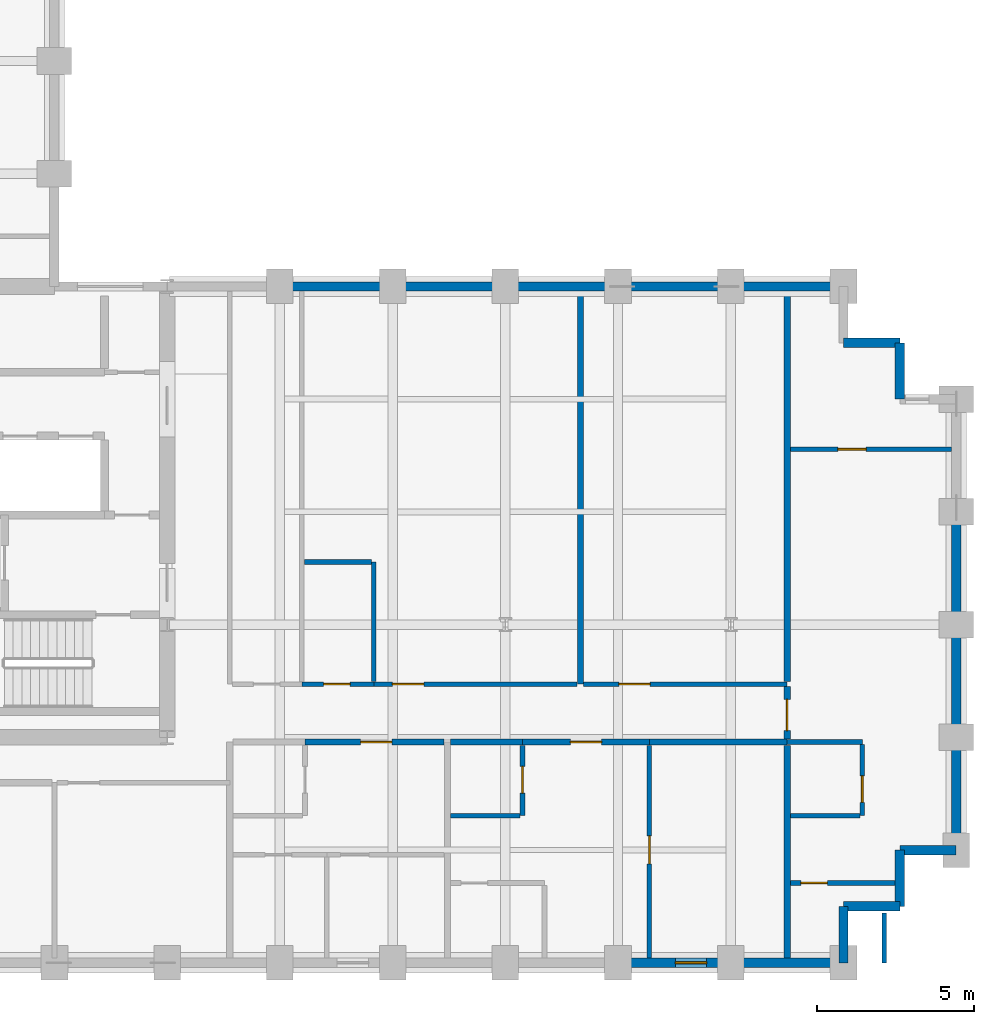
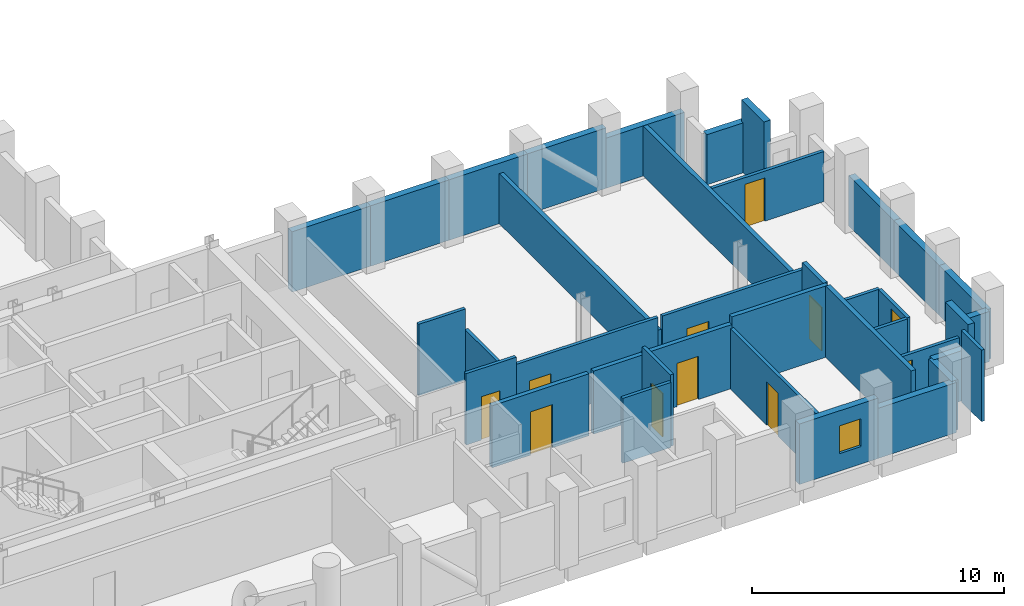
# One storey, part 10 of 13: 38 walls, 11 doors, 1 window, 12 openings.
"""IFC4 building model written with IfcOpenShell, lengths in metres."""

from ifc_helpers import new_model, si_unit, direction, frame, frame_2d, origin, place, context, subcontext, project, spatial, rectangle, extrude, material, layer, layer_set, type_object, element, fill, save


model = new_model("IFC4")

# Units and contexts
model_context = context("Model", 3, precision=1e-05, world=origin(), true_north=direction((0.0, 1.0)))
body_context = subcontext(model_context, "Body", "Model", "MODEL_VIEW")
ifc_project = project(units=[si_unit("LENGTHUNIT", "METRE"), si_unit("AREAUNIT", "SQUARE_METRE"), si_unit("VOLUMEUNIT", "CUBIC_METRE"), si_unit("PLANEANGLEUNIT", "RADIAN"), si_unit("MASSUNIT", "GRAM", prefix="KILO")], contexts=[model_context])

# Site, building, storey
site_placement = place(None, origin())
site = spatial("IfcSite", under=ifc_project, at=site_placement, CompositionType="ELEMENT")
building_placement = place(site_placement, origin())
building = spatial("IfcBuilding", under=site, at=building_placement, Name="Solnavia Interchange Tower", CompositionType="ELEMENT")
storey_placement = place(building_placement, frame((0.0, 0.0, 123.800048828125)))
storey = spatial("IfcBuildingStorey", under=building, at=storey_placement, Name="L30", CompositionType="ELEMENT", Elevation=123.800048828125)

# Wall, opening, door
ifc_material_1 = material(Name="Gypsum Acoustic Twin-Stud & Mineral Wool", Category="gypsum")
ifc_layer_1 = layer(ifc_material_1, 0.199951171875)
ifc_layer_set_1 = layer_set([ifc_layer_1], Name="Gypsum Acoustic Twin-Stud & Mineral Wool")
wall_type_1 = type_object("IfcWallType", Name="Wall-ApartmentParty-200", PredefinedType="PARTITIONING", material=ifc_layer_set_1)
wall_1_placement = place(storey_placement, frame((36.800048828125, 10.64990234375, 0.0), z_axis=(0.0, 0.0, 1.0), x_axis=(1.0, 0.0, 0.0)))
wall_1 = element("IfcWall", 1, at=wall_1_placement, inside=storey, type_object=wall_type_1, Name="PTW-L30-18 Interior partition wall", PredefinedType="PARTITIONING", context=body_context, shape_type="SweptSolid", body=[
    extrude(rectangle(XDim=4.446044921875, YDim=0.199951171875, at=frame_2d((2.22314453125, 0.0))), origin(), (0.0, 0.0, 1.0), 3.010009765625),
])
opening_1_placement = place(wall_1_placement, frame((1.77490234375, 0.0, 0.0)))
opening_1 = element("IfcOpeningElement", 2, at=opening_1_placement, cuts=wall_1, Name="Opening DR-06", PredefinedType="OPENING", context=body_context, shape_type="SweptSolid", body=[
    extrude(rectangle(XDim=1.0, YDim=2.10009765625, at=frame_2d((0.5, 1.050048828125))), frame((0.0, 0.10986328125, 0.0), z_axis=(0.0, -1.0, 0.0), x_axis=(1.0, 0.0, 0.0)), (0.0, 0.0, 1.0), 0.219970703125),
])
ifc_material_2 = material(Name="Engineered Timber Acoustic Fire Door", Category="wood")
door_type_1 = type_object("IfcDoorType", Name="Door-FlatEntry-1000x2100", OperationType="SINGLE_SWING_LEFT", PredefinedType="DOOR", material=ifc_material_2)
door_1_placement = place(opening_1_placement, origin())
door_1 = element("IfcDoor", 3, at=door_1_placement, inside=storey, type_object=door_type_1, Name="DR-L30-07 Interior room door", OperationType="SINGLE_SWING_LEFT", OverallHeight=2.10009765625, OverallWidth=1.0, PredefinedType="DOOR", context=body_context, shape_type="SweptSolid", body=[
    extrude(rectangle(XDim=1.0, YDim=2.10009765625, at=frame_2d((0.5, 1.050048828125))), frame((0.0, 0.02490234375, 0.0), z_axis=(0.0, -1.0, 0.0), x_axis=(1.0, 0.0, 0.0)), (0.0, 0.0, 1.0), 0.050048828125),
])
fill(opening_1, door_1)

# Wall
wall_2_placement = place(storey_placement, frame((41.4541015625, 10.64990234375, 0.0), z_axis=(0.0, 0.0, 1.0), x_axis=(1.0, 0.0, 0.0)))
element("IfcWall", 4, at=wall_2_placement, inside=storey, type_object=wall_type_1, Name="PTW-L30-22 Interior partition wall", PredefinedType="PARTITIONING", context=body_context, shape_type="SweptSolid", body=[
    extrude(rectangle(XDim=2.2958984375, YDim=0.199951171875, at=frame_2d((1.14794921875, 0.0))), origin(), (0.0, 0.0, 1.0), 3.06005859375),
])

# Wall, opening, door
wall_3_placement = place(storey_placement, frame((43.75, 10.64990234375, 0.0), z_axis=(0.0, 0.0, 1.0), x_axis=(1.0, 0.0, 0.0)))
wall_3 = element("IfcWall", 5, at=wall_3_placement, inside=storey, type_object=wall_type_1, Name="PTW-L30-25 Interior partition wall", PredefinedType="PARTITIONING", context=body_context, shape_type="SweptSolid", body=[
    extrude(rectangle(XDim=4.050048828125, YDim=0.199951171875, at=frame_2d((2.02490234375, 0.0))), origin(), (0.0, 0.0, 1.0), 3.099853515625),
])
opening_2_placement = place(wall_3_placement, frame((1.52490234375, 0.0, 0.0)))
opening_2 = element("IfcOpeningElement", 6, at=opening_2_placement, cuts=wall_3, Name="Opening DR-06", PredefinedType="OPENING", context=body_context, shape_type="SweptSolid", body=[
    extrude(rectangle(XDim=1.0, YDim=2.10009765625, at=frame_2d((0.5, 1.050048828125))), frame((0.0, 0.10986328125, 0.0), z_axis=(0.0, -1.0, 0.0), x_axis=(1.0, 0.0, 0.0)), (0.0, 0.0, 1.0), 0.219970703125),
])
door_2_placement = place(opening_2_placement, origin())
door_2 = element("IfcDoor", 7, at=door_2_placement, inside=storey, type_object=door_type_1, Name="DR-L30-11 Interior room door", OperationType="SINGLE_SWING_LEFT", OverallHeight=2.10009765625, OverallWidth=1.0, PredefinedType="DOOR", context=body_context, shape_type="SweptSolid", body=[
    extrude(rectangle(XDim=1.0, YDim=2.10009765625, at=frame_2d((0.5, 1.050048828125))), frame((0.0, 0.02490234375, 0.0), z_axis=(0.0, -1.0, 0.0), x_axis=(1.0, 0.0, 0.0)), (0.0, 0.0, 1.0), 0.050048828125),
])
fill(opening_2, door_2)

# Walls
wall_4_placement = place(storey_placement, frame((47.800048828125, 10.64990234375, 0.0), z_axis=(0.0, 0.0, 1.0), x_axis=(1.0, 0.0, 0.0)))
element("IfcWall", 8, at=wall_4_placement, inside=storey, type_object=wall_type_1, Name="PTW-L30-26 Interior partition wall", PredefinedType="PARTITIONING", context=body_context, shape_type="SweptSolid", body=[
    extrude(rectangle(XDim=4.39990234375, YDim=0.199951171875, at=frame_2d((2.199951171875, 0.0))), origin(), (0.0, 0.0, 1.0), 3.46484375),
])
wall_5_placement = place(storey_placement, frame((45.60009765625, 12.5, 0.0), z_axis=(0.0, 0.0, 1.0), x_axis=(0.0, 1.0, 0.0)))
element("IfcWall", 9, at=wall_5_placement, inside=storey, type_object=wall_type_1, Name="PTW-L30-30 Interior partition wall", PredefinedType="PARTITIONING", context=body_context, shape_type="SweptSolid", body=[
    extrude(rectangle(XDim=12.5458984375, YDim=0.199951171875, at=frame_2d((6.27294921875, 0.0))), origin(), (0.0, 0.0, 1.0), 2.429931640625),
])
wall_6_placement = place(storey_placement, frame((52.199951171875, 3.75390625, 0.0), z_axis=(0.0, 0.0, 1.0), x_axis=(0.0, 1.0, 0.0)))
element("IfcWall", 10, at=wall_6_placement, inside=storey, type_object=wall_type_1, Name="PTW-L30-33 Interior partition wall", PredefinedType="PARTITIONING", context=body_context, shape_type="SweptSolid", body=[
    extrude(rectangle(XDim=6.7919921875, YDim=0.199951171875, at=frame_2d((3.39599609375, 0.0))), origin(), (0.0, 0.0, 1.0), 3.46484375),
])
wall_7_placement = place(storey_placement, frame((52.199951171875, 12.5791015625, 0.0), z_axis=(0.0, 0.0, 1.0), x_axis=(0.0, 1.0, 0.0)))
element("IfcWall", 11, at=wall_7_placement, inside=storey, type_object=wall_type_1, Name="PTW-L30-34 Interior partition wall", PredefinedType="PARTITIONING", context=body_context, shape_type="SweptSolid", body=[
    extrude(rectangle(XDim=12.466796875, YDim=0.199951171875, at=frame_2d((6.2333984375, 0.0))), origin(), (0.0, 0.0, 1.0), 2.429931640625),
])

# Wall, opening, door
wall_8_placement = place(storey_placement, frame((52.199951171875, 10.75390625, 0.0), z_axis=(0.0, 0.0, 1.0), x_axis=(0.0, 1.0, 0.0)))
wall_8 = element("IfcWall", 12, at=wall_8_placement, inside=storey, type_object=wall_type_1, Name="PTW-L30-35 Interior partition wall", PredefinedType="PARTITIONING", context=body_context, shape_type="SweptSolid", body=[
    extrude(rectangle(XDim=1.6669921875, YDim=0.199951171875, at=frame_2d((0.83349609375, 0.0))), origin(), (0.0, 0.0, 1.0), 3.46484375),
])
opening_3_placement = place(wall_8_placement, frame((0.261962890625, 0.0, 0.0)))
opening_3 = element("IfcOpeningElement", 13, at=opening_3_placement, cuts=wall_8, Name="Opening DR-06", PredefinedType="OPENING", context=body_context, shape_type="SweptSolid", body=[
    extrude(rectangle(XDim=1.0, YDim=2.10009765625, at=frame_2d((0.5, 1.050048828125))), frame((0.0, 0.10986328125, 0.0), z_axis=(0.0, -1.0, 0.0), x_axis=(1.0, 0.0, 0.0)), (0.0, 0.0, 1.0), 0.219970703125),
])
door_3_placement = place(opening_3_placement, origin())
door_3 = element("IfcDoor", 14, at=door_3_placement, inside=storey, type_object=door_type_1, Name="DR-L30-16 Interior room door", OperationType="SINGLE_SWING_RIGHT", OverallHeight=2.10009765625, OverallWidth=1.0, PredefinedType="DOOR", context=body_context, shape_type="SweptSolid", body=[
    extrude(rectangle(XDim=1.0, YDim=2.10009765625, at=frame_2d((0.5, 1.050048828125))), frame((0.0, 0.02490234375, 0.0), z_axis=(0.0, -1.0, 0.0), x_axis=(1.0, 0.0, 0.0)), (0.0, 0.0, 1.0), 0.050048828125),
])
fill(opening_3, door_3)

# Wall, opening, window
ifc_material_3 = material(Name="Concrete C40/50", Category="concrete")
ifc_layer_2 = layer(ifc_material_3, 0.300048828125)
ifc_layer_set_2 = layer_set([ifc_layer_2], Name="Concrete C40/50")
wall_type_2 = type_object("IfcWallType", Name="Wall-ExtSpandrel-300", PredefinedType="STANDARD", material=ifc_layer_set_2)
wall_9_placement = place(storey_placement, frame((50.39990234375, 3.60009765625, 0.0), z_axis=(0.0, 0.0, 1.0), x_axis=(-1.0, 0.0, 0.0)))
wall_9 = element("IfcWall", 15, at=wall_9_placement, inside=storey, type_object=wall_type_2, Name="EXW-L30-07 Exterior precast spandrel wall", PredefinedType="STANDARD", context=body_context, shape_type="SweptSolid", body=[
    extrude(rectangle(XDim=3.599853515625, YDim=0.300048828125, at=frame_2d((1.7998046875, 0.0))), origin(), (0.0, 0.0, 1.0), 2.929931640625),
])
opening_4_placement = place(wall_9_placement, frame((0.76904296875, 0.0, 0.85009765625)))
opening_4 = element("IfcOpeningElement", 16, at=opening_4_placement, cuts=wall_9, Name="Opening WIN-07", PredefinedType="OPENING", context=body_context, shape_type="SweptSolid", body=[
    extrude(rectangle(XDim=1.0, YDim=1.35009765625, at=frame_2d((0.5, 0.675048828125))), frame((0.0, 0.16015625, 0.0), z_axis=(0.0, -1.0, 0.0), x_axis=(1.0, 0.0, 0.0)), (0.0, 0.0, 1.0), 0.320068359375),
])
ifc_material_4 = material(Name="Thermal-Break Aluminium & Low-E Glass", Category="aluminium")
window_type = type_object("IfcWindowType", Name="Window-Bedroom-1000x1350", PartitioningType="SINGLE_PANEL", PredefinedType="WINDOW", material=ifc_material_4)
window_placement = place(opening_4_placement, origin())
window = element("IfcWindow", 17, at=window_placement, inside=storey, type_object=window_type, Name="WIN-L30-DW02 Dwelling bedroom window", OverallHeight=1.35009765625, OverallWidth=1.0, PartitioningType="SINGLE_PANEL", PredefinedType="WINDOW", context=body_context, shape_type="SweptSolid", body=[
    extrude(rectangle(XDim=1.0, YDim=1.35009765625, at=frame_2d((0.5, 0.675048828125))), frame((0.0, 0.030029296875, 0.0), z_axis=(0.0, -1.0, 0.0), x_axis=(1.0, 0.0, 0.0)), (0.0, 0.0, 1.0), 0.06005859375),
])
fill(opening_4, window)

# Walls
wall_10_placement = place(storey_placement, frame((54.0, 3.60009765625, 0.0), z_axis=(0.0, 0.0, 1.0), x_axis=(-1.0, 0.0, 0.0)))
element("IfcWall", 18, at=wall_10_placement, inside=storey, type_object=wall_type_2, Name="EXW-L30-08 Exterior precast spandrel wall", PredefinedType="STANDARD", context=body_context, shape_type="SweptSolid", body=[
    extrude(rectangle(XDim=3.60009765625, YDim=0.300048828125, at=frame_2d((1.800048828125, 0.0))), origin(), (0.0, 0.0, 1.0), 2.429931640625),
])
wall_11_placement = place(storey_placement, frame((54.0, 5.39990234375, 0.0), z_axis=(0.0, 0.0, 1.0), x_axis=(0.0, -1.0, 0.0)))
element("IfcWall", 19, at=wall_11_placement, inside=storey, type_object=wall_type_2, Name="EXW-L30-09 Exterior precast spandrel wall", PredefinedType="STANDARD", context=body_context, shape_type="SweptSolid", body=[
    extrude(rectangle(XDim=1.7998046875, YDim=0.300048828125, at=frame_2d((0.89990234375, 0.0))), origin(), (0.0, 0.0, 1.0), 2.429931640625),
])
wall_12_placement = place(storey_placement, frame((55.800048828125, 5.39990234375, 0.0), z_axis=(0.0, 0.0, 1.0), x_axis=(-1.0, 0.0, 0.0)))
element("IfcWall", 20, at=wall_12_placement, inside=storey, type_object=wall_type_2, Name="EXW-L30-10 Exterior precast spandrel wall", PredefinedType="STANDARD", context=body_context, shape_type="SweptSolid", body=[
    extrude(rectangle(XDim=1.800048828125, YDim=0.300048828125, at=frame_2d((0.89990234375, 0.0))), origin(), (0.0, 0.0, 1.0), 2.429931640625),
])
wall_13_placement = place(storey_placement, frame((55.800048828125, 7.199951171875, 0.0), z_axis=(0.0, 0.0, 1.0), x_axis=(0.0, -1.0, 0.0)))
element("IfcWall", 21, at=wall_13_placement, inside=storey, type_object=wall_type_2, Name="EXW-L30-11 Exterior precast spandrel wall", PredefinedType="STANDARD", context=body_context, shape_type="SweptSolid", body=[
    extrude(rectangle(XDim=1.800048828125, YDim=0.300048828125, at=frame_2d((0.89990234375, 0.0))), origin(), (0.0, 0.0, 1.0), 3.46484375),
])
wall_14_placement = place(storey_placement, frame((57.60009765625, 7.199951171875, 0.0), z_axis=(0.0, 0.0, 1.0), x_axis=(-1.0, 0.0, 0.0)))
element("IfcWall", 22, at=wall_14_placement, inside=storey, type_object=wall_type_2, Name="EXW-L30-12 Exterior precast spandrel wall", PredefinedType="STANDARD", context=body_context, shape_type="SweptSolid", body=[
    extrude(rectangle(XDim=1.800048828125, YDim=0.300048828125, at=frame_2d((0.89990234375, 0.0))), origin(), (0.0, 0.0, 1.0), 2.429931640625),
])
wall_15_placement = place(storey_placement, frame((57.60009765625, 10.800048828125, 0.0), z_axis=(0.0, 0.0, 1.0), x_axis=(0.0, -1.0, 0.0)))
element("IfcWall", 23, at=wall_15_placement, inside=storey, type_object=wall_type_2, Name="EXW-L30-13 Exterior precast spandrel wall", PredefinedType="STANDARD", context=body_context, shape_type="SweptSolid", body=[
    extrude(rectangle(XDim=3.60009765625, YDim=0.300048828125, at=frame_2d((1.800048828125, 0.0))), origin(), (0.0, 0.0, 1.0), 2.429931640625),
])
wall_16_placement = place(storey_placement, frame((57.60009765625, 14.39990234375, 0.0), z_axis=(0.0, 0.0, 1.0), x_axis=(0.0, -1.0, 0.0)))
element("IfcWall", 24, at=wall_16_placement, inside=storey, type_object=wall_type_2, Name="EXW-L30-14 Exterior precast spandrel wall", PredefinedType="STANDARD", context=body_context, shape_type="SweptSolid", body=[
    extrude(rectangle(XDim=3.599853515625, YDim=0.300048828125, at=frame_2d((1.7998046875, 0.0))), origin(), (0.0, 0.0, 1.0), 2.429931640625),
])
wall_17_placement = place(storey_placement, frame((57.60009765625, 18.0, 0.0), z_axis=(0.0, 0.0, 1.0), x_axis=(0.0, -1.0, 0.0)))
element("IfcWall", 25, at=wall_17_placement, inside=storey, type_object=wall_type_2, Name="EXW-L30-15 Exterior precast spandrel wall", PredefinedType="STANDARD", context=body_context, shape_type="SweptSolid", body=[
    extrude(rectangle(XDim=3.60009765625, YDim=0.300048828125, at=frame_2d((1.800048828125, 0.0))), origin(), (0.0, 0.0, 1.0), 2.429931640625),
])
wall_18_placement = place(storey_placement, frame((55.800048828125, 23.39990234375, 0.0), z_axis=(0.0, 0.0, 1.0), x_axis=(0.0, -1.0, 0.0)))
element("IfcWall", 26, at=wall_18_placement, inside=storey, type_object=wall_type_2, Name="EXW-L30-18 Exterior precast spandrel wall", PredefinedType="STANDARD", context=body_context, shape_type="SweptSolid", body=[
    extrude(rectangle(XDim=1.7998046875, YDim=0.300048828125, at=frame_2d((0.89990234375, 0.0))), origin(), (0.0, 0.0, 1.0), 3.46484375),
])
wall_19_placement = place(storey_placement, frame((54.0, 23.39990234375, 0.0), z_axis=(0.0, 0.0, 1.0), x_axis=(1.0, 0.0, 0.0)))
element("IfcWall", 27, at=wall_19_placement, inside=storey, type_object=wall_type_2, Name="EXW-L30-19 Exterior precast spandrel wall", PredefinedType="STANDARD", context=body_context, shape_type="SweptSolid", body=[
    extrude(rectangle(XDim=1.800048828125, YDim=0.300048828125, at=frame_2d((0.89990234375, 0.0))), origin(), (0.0, 0.0, 1.0), 2.429931640625),
])
wall_20_placement = place(storey_placement, frame((50.39990234375, 25.199951171875, 0.0), z_axis=(0.0, 0.0, 1.0), x_axis=(1.0, 0.0, 0.0)))
element("IfcWall", 28, at=wall_20_placement, inside=storey, type_object=wall_type_2, Name="EXW-L30-21 Exterior precast spandrel wall", PredefinedType="STANDARD", context=body_context, shape_type="SweptSolid", body=[
    extrude(rectangle(XDim=3.60009765625, YDim=0.300048828125, at=frame_2d((1.800048828125, 0.0))), origin(), (0.0, 0.0, 1.0), 2.429931640625),
])
wall_21_placement = place(storey_placement, frame((46.800048828125, 25.199951171875, 0.0), z_axis=(0.0, 0.0, 1.0), x_axis=(1.0, 0.0, 0.0)))
element("IfcWall", 29, at=wall_21_placement, inside=storey, type_object=wall_type_2, Name="EXW-L30-22 Exterior precast spandrel wall", PredefinedType="STANDARD", context=body_context, shape_type="SweptSolid", body=[
    extrude(rectangle(XDim=3.599853515625, YDim=0.300048828125, at=frame_2d((1.7998046875, 0.0))), origin(), (0.0, 0.0, 1.0), 2.929931640625),
])
wall_22_placement = place(storey_placement, frame((43.199951171875, 25.199951171875, 0.0), z_axis=(0.0, 0.0, 1.0), x_axis=(1.0, 0.0, 0.0)))
element("IfcWall", 30, at=wall_22_placement, inside=storey, type_object=wall_type_2, Name="EXW-L30-23 Exterior precast spandrel wall", PredefinedType="STANDARD", context=body_context, shape_type="SweptSolid", body=[
    extrude(rectangle(XDim=3.60009765625, YDim=0.300048828125, at=frame_2d((1.800048828125, 0.0))), origin(), (0.0, 0.0, 1.0), 2.929931640625),
])
wall_23_placement = place(storey_placement, frame((39.60009765625, 25.199951171875, 0.0), z_axis=(0.0, 0.0, 1.0), x_axis=(1.0, 0.0, 0.0)))
element("IfcWall", 31, at=wall_23_placement, inside=storey, type_object=wall_type_2, Name="EXW-L30-24 Exterior precast spandrel wall", PredefinedType="STANDARD", context=body_context, shape_type="SweptSolid", body=[
    extrude(rectangle(XDim=3.599853515625, YDim=0.300048828125, at=frame_2d((1.7998046875, 0.0))), origin(), (0.0, 0.0, 1.0), 2.929931640625),
])
wall_24_placement = place(storey_placement, frame((36.0, 25.199951171875, 0.0), z_axis=(0.0, 0.0, 1.0), x_axis=(1.0, 0.0, 0.0)))
element("IfcWall", 32, at=wall_24_placement, inside=storey, type_object=wall_type_2, Name="EXW-L30-25 Exterior precast spandrel wall", PredefinedType="STANDARD", context=body_context, shape_type="SweptSolid", body=[
    extrude(rectangle(XDim=3.60009765625, YDim=0.300048828125, at=frame_2d((1.800048828125, 0.0))), origin(), (0.0, 0.0, 1.0), 2.929931640625),
])

# Wall, opening, door
ifc_material_5 = material(Name="Gypsum Plasterboard & Steel Stud", Category="steel")
ifc_layer_3 = layer(ifc_material_5, 0.14990234375)
ifc_layer_set_3 = layer_set([ifc_layer_3], Name="Gypsum Plasterboard & Steel Stud")
wall_type_3 = type_object("IfcWallType", Name="Wall-Partition-150", PredefinedType="PARTITIONING", material=ifc_layer_set_3)
wall_25_placement = place(storey_placement, frame((47.800048828125, 3.75390625, 0.0), z_axis=(0.0, 0.0, 1.0), x_axis=(0.0, 1.0, 0.0)))
wall_25 = element("IfcWall", 33, at=wall_25_placement, inside=storey, type_object=wall_type_3, Name="PTW-L30-27 Interior partition wall", PredefinedType="PARTITIONING", context=body_context, shape_type="SweptSolid", body=[
    extrude(rectangle(XDim=6.7919921875, YDim=0.14990234375, at=frame_2d((3.39599609375, 0.0))), origin(), (0.0, 0.0, 1.0), 2.929931640625),
])
opening_5_placement = place(wall_25_placement, frame((3.0009765625, 0.0, 0.0)))
opening_5 = element("IfcOpeningElement", 34, at=opening_5_placement, cuts=wall_25, Name="Opening DR-09", PredefinedType="OPENING", context=body_context, shape_type="SweptSolid", body=[
    extrude(rectangle(XDim=0.89990234375, YDim=2.10009765625, at=frame_2d((0.449951171875, 1.050048828125))), frame((0.0, 0.0849609375, 0.0), z_axis=(0.0, -1.0, 0.0), x_axis=(1.0, 0.0, 0.0)), (0.0, 0.0, 1.0), 0.169921875),
])
ifc_material_6 = material(Name="Engineered Oak Veneer Door", Category="wood")
door_type_2 = type_object("IfcDoorType", Name="Door-Internal-900x2100", OperationType="SINGLE_SWING_LEFT", PredefinedType="DOOR", material=ifc_material_6)
door_4_placement = place(opening_5_placement, origin())
door_4 = element("IfcDoor", 35, at=door_4_placement, inside=storey, type_object=door_type_2, Name="DR-L30-12 Interior room door", OperationType="SINGLE_SWING_RIGHT", OverallHeight=2.10009765625, OverallWidth=0.89990234375, PredefinedType="DOOR", context=body_context, shape_type="SweptSolid", body=[
    extrude(rectangle(XDim=0.89990234375, YDim=2.10009765625, at=frame_2d((0.449951171875, 1.050048828125))), frame((0.0, 0.02490234375, 0.0), z_axis=(0.0, -1.0, 0.0), x_axis=(1.0, 0.0, 0.0)), (0.0, 0.0, 1.0), 0.050048828125),
])
fill(opening_5, door_4)

wall_26_placement = place(storey_placement, frame((39.0, 12.5, 0.0), z_axis=(0.0, 0.0, 1.0), x_axis=(1.0, 0.0, 0.0)))
wall_26 = element("IfcWall", 36, at=wall_26_placement, inside=storey, type_object=wall_type_3, Name="PTW-L30-31 Interior partition wall", PredefinedType="PARTITIONING", context=body_context, shape_type="SweptSolid", body=[
    extrude(rectangle(XDim=6.49609375, YDim=0.14990234375, at=frame_2d((3.248046875, 0.0))), origin(), (0.0, 0.0, 1.0), 3.10986328125),
])
opening_6_placement = place(wall_26_placement, frame((0.595947265625, 0.0, 0.0)))
opening_6 = element("IfcOpeningElement", 37, at=opening_6_placement, cuts=wall_26, Name="Opening DR-07", PredefinedType="OPENING", context=body_context, shape_type="SweptSolid", body=[
    extrude(rectangle(XDim=1.0, YDim=2.10009765625, at=frame_2d((0.5, 1.050048828125))), frame((0.0, 0.0849609375, 0.0), z_axis=(0.0, -1.0, 0.0), x_axis=(1.0, 0.0, 0.0)), (0.0, 0.0, 1.0), 0.169921875),
])
ifc_material_7 = material(Name="Timber & Acoustic Glazed Office Door", Category="wood")
door_type_3 = type_object("IfcDoorType", Name="Door-Office-1000x2100", OperationType="SINGLE_SWING_RIGHT", PredefinedType="DOOR", material=ifc_material_7)
door_5_placement = place(opening_6_placement, origin())
door_5 = element("IfcDoor", 38, at=door_5_placement, inside=storey, type_object=door_type_3, Name="DR-L30-14 Interior room door", OperationType="SINGLE_SWING_RIGHT", OverallHeight=2.10009765625, OverallWidth=1.0, PredefinedType="DOOR", context=body_context, shape_type="SweptSolid", body=[
    extrude(rectangle(XDim=1.0, YDim=2.10009765625, at=frame_2d((0.5, 1.050048828125))), frame((0.0, 0.02490234375, 0.0), z_axis=(0.0, -1.0, 0.0), x_axis=(1.0, 0.0, 0.0)), (0.0, 0.0, 1.0), 0.050048828125),
])
fill(opening_6, door_5)

wall_27_placement = place(storey_placement, frame((45.7041015625, 12.5, 0.0), z_axis=(0.0, 0.0, 1.0), x_axis=(1.0, 0.0, 0.0)))
wall_27 = element("IfcWall", 39, at=wall_27_placement, inside=storey, type_object=wall_type_3, Name="PTW-L30-32 Interior partition wall", PredefinedType="PARTITIONING", context=body_context, shape_type="SweptSolid", body=[
    extrude(rectangle(XDim=6.495849609375, YDim=0.14990234375, at=frame_2d((3.248046875, 0.0))), origin(), (0.0, 0.0, 1.0), 3.10986328125),
])
opening_7_placement = place(wall_27_placement, frame((1.1220703125, 0.0, 0.0)))
opening_7 = element("IfcOpeningElement", 40, at=opening_7_placement, cuts=wall_27, Name="Opening DR-07", PredefinedType="OPENING", context=body_context, shape_type="SweptSolid", body=[
    extrude(rectangle(XDim=1.0, YDim=2.10009765625, at=frame_2d((0.5, 1.050048828125))), frame((0.0, 0.0849609375, 0.0), z_axis=(0.0, -1.0, 0.0), x_axis=(1.0, 0.0, 0.0)), (0.0, 0.0, 1.0), 0.169921875),
])
door_6_placement = place(opening_7_placement, origin())
door_6 = element("IfcDoor", 41, at=door_6_placement, inside=storey, type_object=door_type_3, Name="DR-L30-15 Interior room door", OperationType="SINGLE_SWING_RIGHT", OverallHeight=2.10009765625, OverallWidth=1.0, PredefinedType="DOOR", context=body_context, shape_type="SweptSolid", body=[
    extrude(rectangle(XDim=1.0, YDim=2.10009765625, at=frame_2d((0.5, 1.050048828125))), frame((0.0, 0.02490234375, 0.0), z_axis=(0.0, -1.0, 0.0), x_axis=(1.0, 0.0, 0.0)), (0.0, 0.0, 1.0), 0.050048828125),
])
fill(opening_7, door_6)

wall_28_placement = place(storey_placement, frame((52.303955078125, 20.0, 0.0), z_axis=(0.0, 0.0, 1.0), x_axis=(1.0, 0.0, 0.0)))
wall_28 = element("IfcWall", 42, at=wall_28_placement, inside=storey, type_object=wall_type_3, Name="PTW-L30-39 Interior partition wall", PredefinedType="PARTITIONING", context=body_context, shape_type="SweptSolid", body=[
    extrude(rectangle(XDim=5.14208984375, YDim=0.14990234375, at=frame_2d((2.571044921875, 0.0))), origin(), (0.0, 0.0, 1.0), 2.429931640625),
])
opening_8_placement = place(wall_28_placement, frame((1.51611328125, 0.0, 0.0)))
opening_8 = element("IfcOpeningElement", 43, at=opening_8_placement, cuts=wall_28, Name="Opening DR-09", PredefinedType="OPENING", context=body_context, shape_type="SweptSolid", body=[
    extrude(rectangle(XDim=0.89990234375, YDim=2.10009765625, at=frame_2d((0.449951171875, 1.050048828125))), frame((0.0, 0.0849609375, 0.0), z_axis=(0.0, -1.0, 0.0), x_axis=(1.0, 0.0, 0.0)), (0.0, 0.0, 1.0), 0.169921875),
])
door_7_placement = place(opening_8_placement, origin())
door_7 = element("IfcDoor", 44, at=door_7_placement, inside=storey, type_object=door_type_2, Name="DR-L30-18 Interior room door", OperationType="SINGLE_SWING_LEFT", OverallHeight=2.10009765625, OverallWidth=0.89990234375, PredefinedType="DOOR", context=body_context, shape_type="SweptSolid", body=[
    extrude(rectangle(XDim=0.89990234375, YDim=2.10009765625, at=frame_2d((0.449951171875, 1.050048828125))), frame((0.0, 0.02490234375, 0.0), z_axis=(0.0, -1.0, 0.0), x_axis=(1.0, 0.0, 0.0)), (0.0, 0.0, 1.0), 0.050048828125),
])
fill(opening_8, door_7)

ifc_material_8 = material(Name="Moisture-Resistant Gypsum & Steel Stud", Category="steel")
ifc_layer_4 = layer(ifc_material_8, 0.14990234375)
ifc_layer_set_4 = layer_set([ifc_layer_4], Name="Moisture-Resistant Gypsum & Steel Stud")
wall_type_4 = type_object("IfcWallType", Name="Wall-WetRoom-150", PredefinedType="PARTITIONING", material=ifc_layer_set_4)
wall_29_placement = place(storey_placement, frame((36.699951171875, 12.5, 0.0), z_axis=(0.0, 0.0, 1.0), x_axis=(1.0, 0.0, 0.0)))
wall_29 = element("IfcWall", 45, at=wall_29_placement, inside=storey, type_object=wall_type_4, Name="PTW-L30-04 Interior partition wall", PredefinedType="PARTITIONING", context=body_context, shape_type="SweptSolid", body=[
    extrude(rectangle(XDim=2.300048828125, YDim=0.14990234375, at=frame_2d((1.14990234375, 0.0))), origin(), (0.0, 0.0, 1.0), 3.46484375),
])
opening_9_placement = place(wall_29_placement, frame((0.697021484375, 0.0, 0.0)))
opening_9 = element("IfcOpeningElement", 46, at=opening_9_placement, cuts=wall_29, Name="Opening DR-10", PredefinedType="OPENING", context=body_context, shape_type="SweptSolid", body=[
    extrude(rectangle(XDim=0.85009765625, YDim=2.10009765625, at=frame_2d((0.425048828125, 1.050048828125))), frame((0.0, 0.0849609375, 0.0), z_axis=(0.0, -1.0, 0.0), x_axis=(1.0, 0.0, 0.0)), (0.0, 0.0, 1.0), 0.169921875),
])
ifc_material_9 = material(Name="Moisture-Resistant Timber Door", Category="wood")
door_type_4 = type_object("IfcDoorType", Name="Door-Bathroom-850x2100", OperationType="SINGLE_SWING_RIGHT", PredefinedType="DOOR", material=ifc_material_9)
door_8_placement = place(opening_9_placement, origin())
door_8 = element("IfcDoor", 47, at=door_8_placement, inside=storey, type_object=door_type_4, Name="DR-L30-02 Interior room door", OperationType="SINGLE_SWING_RIGHT", OverallHeight=2.10009765625, OverallWidth=0.85009765625, PredefinedType="DOOR", context=body_context, shape_type="SweptSolid", body=[
    extrude(rectangle(XDim=0.85009765625, YDim=2.10009765625, at=frame_2d((0.425048828125, 1.050048828125))), frame((0.0, 0.02490234375, 0.0), z_axis=(0.0, -1.0, 0.0), x_axis=(1.0, 0.0, 0.0)), (0.0, 0.0, 1.0), 0.050048828125),
])
fill(opening_9, door_8)

# Walls
wall_30_placement = place(storey_placement, frame((39.0, 12.5791015625, 0.0), z_axis=(0.0, 0.0, 1.0), x_axis=(0.0, 1.0, 0.0)))
element("IfcWall", 48, at=wall_30_placement, inside=storey, type_object=wall_type_4, Name="PTW-L30-05 Interior partition wall", PredefinedType="PARTITIONING", context=body_context, shape_type="SweptSolid", body=[
    extrude(rectangle(XDim=3.82080078125, YDim=0.14990234375, at=frame_2d((1.910400390625, 0.0))), origin(), (0.0, 0.0, 1.0), 2.429931640625),
])
wall_31_placement = place(storey_placement, frame((36.779052734375, 16.39990234375, 0.0), z_axis=(0.0, 0.0, 1.0), x_axis=(1.0, 0.0, 0.0)))
element("IfcWall", 49, at=wall_31_placement, inside=storey, type_object=wall_type_4, Name="PTW-L30-06 Interior partition wall", PredefinedType="PARTITIONING", context=body_context, shape_type="SweptSolid", body=[
    extrude(rectangle(XDim=2.141845703125, YDim=0.14990234375, at=frame_2d((1.07080078125, 0.0))), origin(), (0.0, 0.0, 1.0), 3.46484375),
])

# Wall, opening, door
wall_32_placement = place(storey_placement, frame((43.75, 8.300048828125, 0.0), z_axis=(0.0, 0.0, 1.0), x_axis=(0.0, 1.0, 0.0)))
wall_32 = element("IfcWall", 50, at=wall_32_placement, inside=storey, type_object=wall_type_4, Name="PTW-L30-23 Interior partition wall", PredefinedType="PARTITIONING", context=body_context, shape_type="SweptSolid", body=[
    extrude(rectangle(XDim=2.245849609375, YDim=0.14990234375, at=frame_2d((1.123046875, 0.0))), origin(), (0.0, 0.0, 1.0), 3.46484375),
])
opening_10_placement = place(wall_32_placement, frame((0.719970703125, 0.0, 0.0)))
opening_10 = element("IfcOpeningElement", 51, at=opening_10_placement, cuts=wall_32, Name="Opening DR-10", PredefinedType="OPENING", context=body_context, shape_type="SweptSolid", body=[
    extrude(rectangle(XDim=0.85009765625, YDim=2.10009765625, at=frame_2d((0.425048828125, 1.050048828125))), frame((0.0, 0.0849609375, 0.0), z_axis=(0.0, -1.0, 0.0), x_axis=(1.0, 0.0, 0.0)), (0.0, 0.0, 1.0), 0.169921875),
])
door_9_placement = place(opening_10_placement, origin())
door_9 = element("IfcDoor", 52, at=door_9_placement, inside=storey, type_object=door_type_4, Name="DR-L30-10 Interior room door", OperationType="SINGLE_SWING_RIGHT", OverallHeight=2.10009765625, OverallWidth=0.85009765625, PredefinedType="DOOR", context=body_context, shape_type="SweptSolid", body=[
    extrude(rectangle(XDim=0.85009765625, YDim=2.10009765625, at=frame_2d((0.425048828125, 1.050048828125))), frame((0.0, 0.02490234375, 0.0), z_axis=(0.0, -1.0, 0.0), x_axis=(1.0, 0.0, 0.0)), (0.0, 0.0, 1.0), 0.050048828125),
])
fill(opening_10, door_9)

# Walls
wall_33_placement = place(storey_placement, frame((41.4541015625, 8.300048828125, 0.0), z_axis=(0.0, 0.0, 1.0), x_axis=(1.0, 0.0, 0.0)))
element("IfcWall", 53, at=wall_33_placement, inside=storey, type_object=wall_type_4, Name="PTW-L30-24 Interior partition wall", PredefinedType="PARTITIONING", context=body_context, shape_type="SweptSolid", body=[
    extrude(rectangle(XDim=2.216796875, YDim=0.14990234375, at=frame_2d((1.1083984375, 0.0))), origin(), (0.0, 0.0, 1.0), 3.14990234375),
])
wall_34_placement = place(storey_placement, frame((52.199951171875, 10.64990234375, 0.0), z_axis=(0.0, 0.0, 1.0), x_axis=(1.0, 0.0, 0.0)))
element("IfcWall", 54, at=wall_34_placement, inside=storey, type_object=wall_type_4, Name="PTW-L30-36 Interior partition wall", PredefinedType="PARTITIONING", context=body_context, shape_type="SweptSolid", body=[
    extrude(rectangle(XDim=2.400146484375, YDim=0.14990234375, at=frame_2d((1.2001953125, 0.0))), origin(), (0.0, 0.0, 1.0), 2.429931640625),
])

# Wall, opening, door
wall_35_placement = place(storey_placement, frame((54.60009765625, 8.300048828125, 0.0), z_axis=(0.0, 0.0, 1.0), x_axis=(0.0, 1.0, 0.0)))
wall_35 = element("IfcWall", 55, at=wall_35_placement, inside=storey, type_object=wall_type_4, Name="PTW-L30-37 Interior partition wall", PredefinedType="PARTITIONING", context=body_context, shape_type="SweptSolid", body=[
    extrude(rectangle(XDim=2.27099609375, YDim=0.14990234375, at=frame_2d((1.135498046875, 0.0))), origin(), (0.0, 0.0, 1.0), 2.429931640625),
])
opening_11_placement = place(wall_35_placement, frame((0.419921875, 0.0, 0.0)))
opening_11 = element("IfcOpeningElement", 56, at=opening_11_placement, cuts=wall_35, Name="Opening DR-10", PredefinedType="OPENING", context=body_context, shape_type="SweptSolid", body=[
    extrude(rectangle(XDim=0.85009765625, YDim=2.10009765625, at=frame_2d((0.425048828125, 1.050048828125))), frame((0.0, 0.0849609375, 0.0), z_axis=(0.0, -1.0, 0.0), x_axis=(1.0, 0.0, 0.0)), (0.0, 0.0, 1.0), 0.169921875),
])
door_10_placement = place(opening_11_placement, origin())
door_10 = element("IfcDoor", 57, at=door_10_placement, inside=storey, type_object=door_type_4, Name="DR-L30-17 Interior room door", OperationType="SINGLE_SWING_RIGHT", OverallHeight=2.10009765625, OverallWidth=0.85009765625, PredefinedType="DOOR", context=body_context, shape_type="SweptSolid", body=[
    extrude(rectangle(XDim=0.85009765625, YDim=2.10009765625, at=frame_2d((0.425048828125, 1.050048828125))), frame((0.0, 0.02490234375, 0.0), z_axis=(0.0, -1.0, 0.0), x_axis=(1.0, 0.0, 0.0)), (0.0, 0.0, 1.0), 0.050048828125),
])
fill(opening_11, door_10)

# Wall
wall_36_placement = place(storey_placement, frame((52.303955078125, 8.300048828125, 0.0), z_axis=(0.0, 0.0, 1.0), x_axis=(1.0, 0.0, 0.0)))
element("IfcWall", 58, at=wall_36_placement, inside=storey, type_object=wall_type_4, Name="PTW-L30-38 Interior partition wall", PredefinedType="PARTITIONING", context=body_context, shape_type="SweptSolid", body=[
    extrude(rectangle(XDim=2.217041015625, YDim=0.14990234375, at=frame_2d((1.1083984375, 0.0))), origin(), (0.0, 0.0, 1.0), 2.429931640625),
])

# Wall, opening, door
wall_37_placement = place(storey_placement, frame((52.303955078125, 6.14990234375, 0.0), z_axis=(0.0, 0.0, 1.0), x_axis=(1.0, 0.0, 0.0)))
wall_37 = element("IfcWall", 59, at=wall_37_placement, inside=storey, type_object=wall_type_4, Name="PTW-L30-40 Interior partition wall", PredefinedType="PARTITIONING", context=body_context, shape_type="SweptSolid", body=[
    extrude(rectangle(XDim=3.342041015625, YDim=0.14990234375, at=frame_2d((1.6708984375, 0.0))), origin(), (0.0, 0.0, 1.0), 2.429931640625),
])
opening_12_placement = place(wall_37_placement, frame((0.333984375, 0.0, 0.0)))
opening_12 = element("IfcOpeningElement", 60, at=opening_12_placement, cuts=wall_37, Name="Opening DR-10", PredefinedType="OPENING", context=body_context, shape_type="SweptSolid", body=[
    extrude(rectangle(XDim=0.85009765625, YDim=2.10009765625, at=frame_2d((0.425048828125, 1.050048828125))), frame((0.0, 0.0849609375, 0.0), z_axis=(0.0, -1.0, 0.0), x_axis=(1.0, 0.0, 0.0)), (0.0, 0.0, 1.0), 0.169921875),
])
door_11_placement = place(opening_12_placement, origin())
door_11 = element("IfcDoor", 61, at=door_11_placement, inside=storey, type_object=door_type_4, Name="DR-L30-19 Interior room door", OperationType="SINGLE_SWING_RIGHT", OverallHeight=2.10009765625, OverallWidth=0.85009765625, PredefinedType="DOOR", context=body_context, shape_type="SweptSolid", body=[
    extrude(rectangle(XDim=0.85009765625, YDim=2.10009765625, at=frame_2d((0.425048828125, 1.050048828125))), frame((0.0, 0.02490234375, 0.0), z_axis=(0.0, -1.0, 0.0), x_axis=(1.0, 0.0, 0.0)), (0.0, 0.0, 1.0), 0.050048828125),
])
fill(opening_12, door_11)

# Wall
wall_38_placement = place(storey_placement, frame((55.300048828125, 3.60009765625, 0.0), z_axis=(0.0, 0.0, 1.0), x_axis=(0.0, 1.0, 0.0)))
element("IfcWall", 62, at=wall_38_placement, inside=storey, type_object=wall_type_4, Name="PTW-L30-41 Interior partition wall", PredefinedType="PARTITIONING", context=body_context, shape_type="SweptSolid", body=[
    extrude(rectangle(XDim=1.594970703125, YDim=0.14990234375, at=frame_2d((0.79736328125, 0.0))), origin(), (0.0, 0.0, 1.0), 3.46484375),
])

save(model, "model.ifc")
